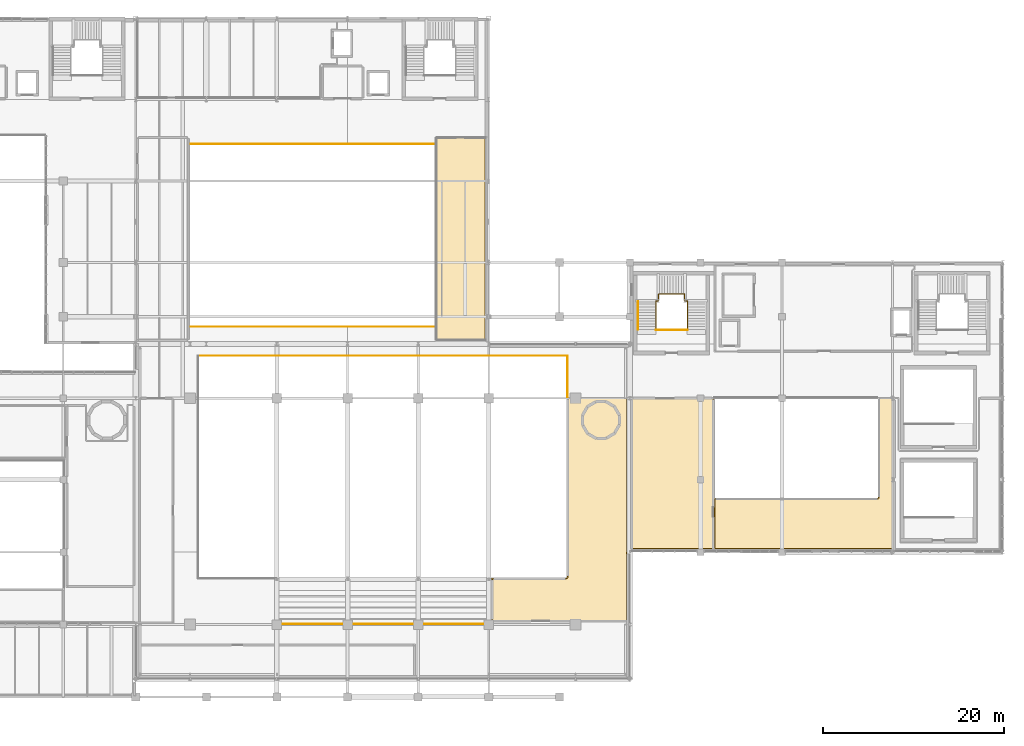
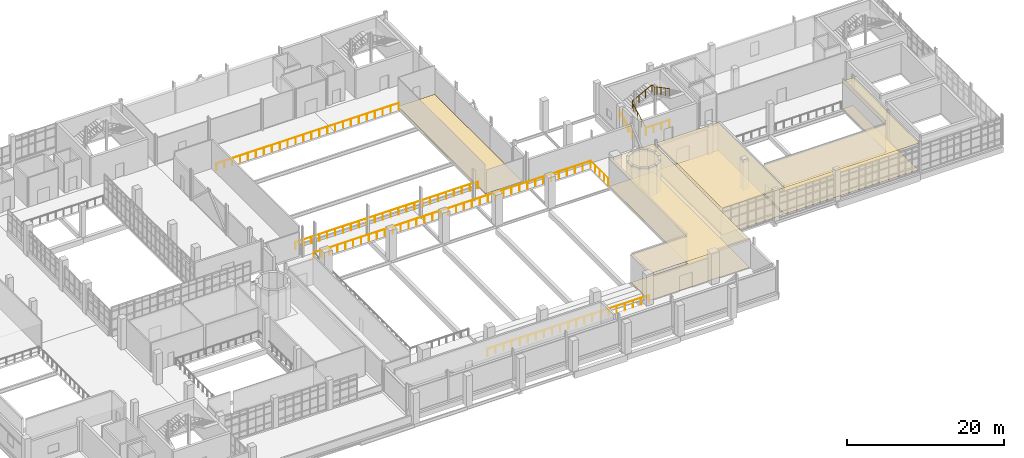
# One storey, part 100 of 102: 8 railings, 7 coverings.
"""IFC4 building model written with IfcOpenShell, lengths in metres."""

from ifc_helpers import new_model, si_unit, derived_unit, direction, frame, origin, origin_2d, place, context, subcontext, project, spatial, polyline, circle, outline, extrude, material, layer, layer_set, type_object, element, save


model = new_model("IFC4")

# Units and contexts
model_context = context("Model", 3, precision=1e-05, world=origin(), true_north=direction((0.0, 1.0)))
body_context = subcontext(model_context, "Body", "Model", "MODEL_VIEW")
ifc_project = project(units=[si_unit("LENGTHUNIT", "METRE"), si_unit("AREAUNIT", "SQUARE_METRE"), si_unit("VOLUMEUNIT", "CUBIC_METRE"), si_unit("PLANEANGLEUNIT", "RADIAN"), si_unit("MASSUNIT", "GRAM", prefix="KILO"), derived_unit("THERMALTRANSMITTANCEUNIT", [(si_unit("POWERUNIT", "WATT"), 1), (si_unit("LENGTHUNIT", "METRE"), -2), (si_unit("THERMODYNAMICTEMPERATUREUNIT", "KELVIN"), -1)])], contexts=[model_context])

# Site, building, storey
site_placement = place(None, origin())
site = spatial("IfcSite", under=ifc_project, at=site_placement, CompositionType="ELEMENT")
building_placement = place(site_placement, origin())
building = spatial("IfcBuilding", under=site, at=building_placement, Name="Nallur Shell Playhouse", CompositionType="ELEMENT")
storey_placement = place(building_placement, frame((0.0, 0.0, 15.0)))
storey = spatial("IfcBuildingStorey", under=building, at=storey_placement, Name="L04", CompositionType="ELEMENT", Elevation=15.0)

# Coverings
ifc_material_1 = material(Name="Micro-Perforated Teak Veneer Acoustic Baffle Ceiling")
ifc_layer_1 = layer(ifc_material_1, 0.044921875)
ifc_layer_set_1 = layer_set([ifc_layer_1], Name="Micro-Perforated Teak Veneer Acoustic Baffle Ceiling")
covering_type_1 = type_object("IfcCoveringType", Name="CV-CEIL-AC1", PredefinedType="CEILING", material=ifc_layer_set_1)
covering_1_placement = place(storey_placement, frame((0.0, 0.0, 4.205078125)))
element("IfcCovering", 1, at=covering_1_placement, inside=storey, type_object=covering_type_1, Name="Studio Lighting & Acoustic Rigging Gallery suspended acoustic ceiling", PredefinedType="CEILING", context=body_context, shape_type="SweptSolid", body=[
    extrude(outline(polyline([(118.68994140625, 41.110107421875), (127.909912109375, 41.110107421875), (127.909912109375, 24.2900390625), (118.68994140625, 24.2900390625), (118.68994140625, 41.110107421875)])), origin(), (0.0, 0.0, 1.0), 0.044921875),
])
ifc_material_2 = material(Name="Mineral-Fibre High-NRC Suspended Ceiling Tile")
ifc_layer_2 = layer(ifc_material_2, 0.030029296875)
ifc_layer_set_2 = layer_set([ifc_layer_2], Name="Mineral-Fibre High-NRC Suspended Ceiling Tile")
covering_type_2 = type_object("IfcCoveringType", Name="CV-CEIL-AC2", PredefinedType="CEILING", material=ifc_layer_set_2)
covering_2_placement = place(storey_placement, frame((0.0, 0.0, 4.219970703125)))
element("IfcCovering", 2, at=covering_2_placement, inside=storey, type_object=covering_type_2, Name="Main Theatre Upper Circle Auditorium Tier suspended acoustic ceiling", PredefinedType="CEILING", context=body_context, shape_type="SweptSolid", body=[
    extrude(outline(polyline([(111.6142578125, 21.173583984375), (111.616455078125, 21.175048828125), (111.618896484375, 21.177001953125), (111.62109375, 21.178955078125), (111.623046875, 21.18115234375), (111.625, 21.18359375), (111.626220703125, 21.185791015625), (111.62744140625, 21.1884765625), (111.628662109375, 21.19140625), (111.629150390625, 21.194091796875), (111.629638671875, 21.197021484375), (111.6298828125, 21.202880859375), (111.6298828125, 41.110107421875), (118.31005859375, 41.110107421875), (118.31005859375, 16.2900390625), (103.2900390625, 16.2900390625), (103.2900390625, 21.169921875), (111.59716796875, 21.169921875), (111.602783203125, 21.17041015625), (111.60595703125, 21.1708984375), (111.608642578125, 21.17138671875), (111.611572265625, 21.172607421875), (111.6142578125, 21.173583984375)])), origin(), (0.0, 0.0, 1.0), 0.030029296875),
])
covering_3_placement = place(storey_placement, frame((0.0, 0.0, 4.219970703125)))
element("IfcCovering", 3, at=covering_3_placement, inside=storey, type_object=covering_type_2, Name="Studio Theatre Costume & Scenic Prop Workshop suspended acoustic ceiling", PredefinedType="CEILING", context=body_context, shape_type="SweptSolid", body=[
    extrude(outline(polyline([(146.005615234375, 29.99169921875), (146.00634765625, 29.992431640625), (146.007080078125, 29.992919921875), (146.007568359375, 29.99365234375), (146.00830078125, 29.994384765625), (146.0087890625, 29.995361328125), (146.009033203125, 29.99609375), (146.009521484375, 29.9970703125), (146.009765625, 29.998291015625), (146.009765625, 29.9990234375), (146.010009765625, 30.002685546875), (146.010009765625, 41.110107421875), (147.7099609375, 41.110107421875), (147.7099609375, 24.2900390625), (127.889892578125, 24.2900390625), (127.889892578125, 29.989990234375), (145.997314453125, 29.989990234375), (146.0009765625, 29.990234375), (146.001708984375, 29.990234375), (146.0029296875, 29.990478515625), (146.00390625, 29.990966796875), (146.004638671875, 29.9912109375), (146.005615234375, 29.99169921875)])), origin(), (0.0, 0.0, 1.0), 0.030029296875),
])
ifc_material_3 = material(Name="Heavy-Duty Woven Wool Auditorium Acoustic Flooring")
ifc_layer_3 = layer(ifc_material_3, 0.02001953125)
ifc_layer_set_3 = layer_set([ifc_layer_3], Name="Heavy-Duty Woven Wool Auditorium Acoustic Flooring")
covering_type_3 = type_object("IfcCoveringType", Name="CV-FLOR-CARPET", PredefinedType="FLOORING", material=ifc_layer_set_3)
covering_4_placement = place(storey_placement, origin())
element("IfcCovering", 4, at=covering_4_placement, inside=storey, type_object=covering_type_3, Name="Main Theatre Upper Circle Auditorium Tier floor finish", PredefinedType="FLOORING", context=body_context, shape_type="SweptSolid", body=[
    extrude(outline(polyline([(111.666015625, 21.076416015625), (111.677734375, 21.08349609375), (111.688720703125, 21.091796875), (111.698974609375, 21.10107421875), (111.708251953125, 21.111083984375), (111.71630859375, 21.122314453125), (111.723388671875, 21.134033203125), (111.729248046875, 21.146484375), (111.73388671875, 21.159423828125), (111.7373046875, 21.172607421875), (111.7392578125, 21.186279296875), (111.739990234375, 21.199951171875), (111.739990234375, 41.0), (118.199951171875, 41.0), (118.199951171875, 16.39990234375), (103.39990234375, 16.39990234375), (103.39990234375, 21.06005859375), (111.60009765625, 21.06005859375), (111.61376953125, 21.060791015625), (111.627197265625, 21.062744140625), (111.640625, 21.06591796875), (111.653564453125, 21.07080078125), (111.666015625, 21.076416015625)])), origin(), (0.0, 0.0, 1.0), 0.02001953125),
])
covering_5_placement = place(storey_placement, origin())
element("IfcCovering", 5, at=covering_5_placement, inside=storey, type_object=covering_type_3, Name="Studio Lighting & Acoustic Rigging Gallery floor finish", PredefinedType="FLOORING", context=body_context, shape_type="SweptSolid", body=[
    extrude(outline(polyline([(118.800048828125, 41.0), (127.800048828125, 41.0), (127.800048828125, 24.39990234375), (118.800048828125, 24.39990234375), (118.800048828125, 41.0)])), origin(), (0.0, 0.0, 1.0), 0.02001953125),
])
ifc_material_4 = material(Name="Polished Chettinad Oxide & White Marble Terrazzo Flooring", Category="masonry")
ifc_layer_4 = layer(ifc_material_4, 0.050048828125)
ifc_layer_set_4 = layer_set([ifc_layer_4], Name="Polished Chettinad Oxide & White Marble Terrazzo Flooring")
covering_type_4 = type_object("IfcCoveringType", Name="CV-FLOR-TERRAZZO", PredefinedType="FLOORING", material=ifc_layer_set_4)
covering_6_placement = place(storey_placement, origin())
element("IfcCovering", 6, at=covering_6_placement, inside=storey, type_object=covering_type_4, Name="Studio Theatre Costume & Scenic Prop Workshop floor finish", PredefinedType="FLOORING", context=body_context, shape_type="SweptSolid", body=[
    extrude(outline(polyline([(146.066650390625, 29.900146484375), (146.076171875, 29.9072265625), (146.0849609375, 29.9150390625), (146.0927734375, 29.923828125), (146.099853515625, 29.933349609375), (146.105712890625, 29.943359375), (146.11083984375, 29.9541015625), (146.11474609375, 29.965087890625), (146.11767578125, 29.9765625), (146.119384765625, 29.98828125), (146.1201171875, 30.0), (146.1201171875, 41.0), (147.60009765625, 41.0), (147.60009765625, 24.39990234375), (128.0, 24.39990234375), (128.0, 29.8798828125), (146.0, 29.8798828125), (146.01171875, 29.880615234375), (146.0234375, 29.88232421875), (146.034912109375, 29.88525390625), (146.0458984375, 29.88916015625), (146.056640625, 29.894287109375), (146.066650390625, 29.900146484375)])), origin(), (0.0, 0.0, 1.0), 0.050048828125),
])
ifc_material_5 = material(Name="Sprung Semi-Resilient Stage & Dance Hardwood Flooring", Category="wood")
ifc_layer_5 = layer(ifc_material_5, 0.054931640625)
ifc_layer_set_5 = layer_set([ifc_layer_5], Name="Sprung Semi-Resilient Stage & Dance Hardwood Flooring")
covering_type_5 = type_object("IfcCoveringType", Name="CV-FLOR-TIMBER", PredefinedType="FLOORING", material=ifc_layer_set_5)
covering_7_placement = place(storey_placement, origin())
element("IfcCovering", 7, at=covering_7_placement, inside=storey, type_object=covering_type_5, Name="Stage East Upper Rigging & Dimmer Gallery floor finish", PredefinedType="FLOORING", context=body_context, shape_type="SweptSolid", body=[
    extrude(outline(polyline([(97.199951171875, 69.800048828125), (102.60009765625, 69.800048828125), (102.60009765625, 47.39990234375), (97.199951171875, 47.39990234375), (97.199951171875, 69.800048828125)])), origin(), (0.0, 0.0, 1.0), 0.054931640625),
])

# Railings
ifc_material_6 = material(Name="Bronze-Anodised Foyer Void Acoustic Glass Guardrail", Category="glass")
railing_type_1 = type_object("IfcRailingType", Name="RL-BAL-1100", PredefinedType="BALUSTRADE", material=ifc_material_6)
railing_1_placement = place(storey_placement, frame((111.699951171875, 41.1318359375, 0.0)))
element("IfcRailing", 8, at=railing_1_placement, inside=storey, type_object=railing_type_1, Name="L04 interior void balustrade 016", PredefinedType="BALUSTRADE", context=body_context, shape_type="SweptSolid", body=[
    extrude(circle(Radius=0.02392578125, at=origin_2d()), frame((0.0, 0.0, 1.09619140625), z_axis=(0.0, 1.0, 0.0), x_axis=(-1.0, 0.0, 0.0)), (0.0, 0.0, 1.0), 4.568115234375),
    extrude(circle(Radius=0.02099609375, at=origin_2d()), origin(), (0.0, 0.0, 1.0), 1.072021484375),
    extrude(circle(Radius=0.02099609375, at=origin_2d()), frame((0.0, 1.14208984375, 0.0)), (0.0, 0.0, 1.0), 1.072021484375),
    extrude(circle(Radius=0.02099609375, at=origin_2d()), frame((0.0, 2.2841796875, 0.0)), (0.0, 0.0, 1.0), 1.072021484375),
    extrude(circle(Radius=0.02099609375, at=origin_2d()), frame((0.0, 3.426025390625, 0.0)), (0.0, 0.0, 1.0), 1.072021484375),
    extrude(circle(Radius=0.02099609375, at=origin_2d()), frame((0.0, 4.568115234375, 0.0)), (0.0, 0.0, 1.0), 1.072021484375),
])
railing_2_placement = place(storey_placement, frame((111.699951171875, 45.699951171875, 0.0)))
element("IfcRailing", 9, at=railing_2_placement, inside=storey, type_object=railing_type_1, Name="L04 interior void balustrade 017", PredefinedType="BALUSTRADE", context=body_context, shape_type="SweptSolid", body=[
    extrude(circle(Radius=0.02392578125, at=origin_2d()), frame((0.0, 0.0, 1.09619140625), z_axis=(-1.0, 0.0, 0.0), x_axis=(0.0, -1.0, 0.0)), (0.0, 0.0, 1.0), 40.800048828125),
    extrude(circle(Radius=0.02099609375, at=origin_2d()), origin(), (0.0, 0.0, 1.0), 1.072021484375),
    extrude(circle(Radius=0.02099609375, at=origin_2d()), frame((-1.165771484375, 0.0, 0.0)), (0.0, 0.0, 1.0), 1.072021484375),
    extrude(circle(Radius=0.02099609375, at=origin_2d()), frame((-2.33154296875, 0.0, 0.0)), (0.0, 0.0, 1.0), 1.072021484375),
    extrude(circle(Radius=0.02099609375, at=origin_2d()), frame((-3.4970703125, 0.0, 0.0)), (0.0, 0.0, 1.0), 1.072021484375),
    extrude(circle(Radius=0.02099609375, at=origin_2d()), frame((-4.662841796875, 0.0, 0.0)), (0.0, 0.0, 1.0), 1.072021484375),
    extrude(circle(Radius=0.02099609375, at=origin_2d()), frame((-5.82861328125, 0.0, 0.0)), (0.0, 0.0, 1.0), 1.072021484375),
    extrude(circle(Radius=0.02099609375, at=origin_2d()), frame((-6.994384765625, 0.0, 0.0)), (0.0, 0.0, 1.0), 1.072021484375),
    extrude(circle(Radius=0.02099609375, at=origin_2d()), frame((-8.159912109375, 0.0, 0.0)), (0.0, 0.0, 1.0), 1.072021484375),
    extrude(circle(Radius=0.02099609375, at=origin_2d()), frame((-9.32568359375, 0.0, 0.0)), (0.0, 0.0, 1.0), 1.072021484375),
    extrude(circle(Radius=0.02099609375, at=origin_2d()), frame((-10.491455078125, 0.0, 0.0)), (0.0, 0.0, 1.0), 1.072021484375),
    extrude(circle(Radius=0.02099609375, at=origin_2d()), frame((-11.6572265625, 0.0, 0.0)), (0.0, 0.0, 1.0), 1.072021484375),
    extrude(circle(Radius=0.02099609375, at=origin_2d()), frame((-12.82275390625, 0.0, 0.0)), (0.0, 0.0, 1.0), 1.072021484375),
    extrude(circle(Radius=0.02099609375, at=origin_2d()), frame((-13.988525390625, 0.0, 0.0)), (0.0, 0.0, 1.0), 1.072021484375),
    extrude(circle(Radius=0.02099609375, at=origin_2d()), frame((-15.154296875, 0.0, 0.0)), (0.0, 0.0, 1.0), 1.072021484375),
    extrude(circle(Radius=0.02099609375, at=origin_2d()), frame((-16.320068359375, 0.0, 0.0)), (0.0, 0.0, 1.0), 1.072021484375),
    extrude(circle(Radius=0.02099609375, at=origin_2d()), frame((-17.48583984375, 0.0, 0.0)), (0.0, 0.0, 1.0), 1.072021484375),
    extrude(circle(Radius=0.02099609375, at=origin_2d()), frame((-18.6513671875, 0.0, 0.0)), (0.0, 0.0, 1.0), 1.072021484375),
    extrude(circle(Radius=0.02099609375, at=origin_2d()), frame((-19.817138671875, 0.0, 0.0)), (0.0, 0.0, 1.0), 1.072021484375),
    extrude(circle(Radius=0.02099609375, at=origin_2d()), frame((-20.98291015625, 0.0, 0.0)), (0.0, 0.0, 1.0), 1.072021484375),
    extrude(circle(Radius=0.02099609375, at=origin_2d()), frame((-22.148681640625, 0.0, 0.0)), (0.0, 0.0, 1.0), 1.072021484375),
    extrude(circle(Radius=0.02099609375, at=origin_2d()), frame((-23.314208984375, 0.0, 0.0)), (0.0, 0.0, 1.0), 1.072021484375),
    extrude(circle(Radius=0.02099609375, at=origin_2d()), frame((-24.47998046875, 0.0, 0.0)), (0.0, 0.0, 1.0), 1.072021484375),
    extrude(circle(Radius=0.02099609375, at=origin_2d()), frame((-25.645751953125, 0.0, 0.0)), (0.0, 0.0, 1.0), 1.072021484375),
    extrude(circle(Radius=0.02099609375, at=origin_2d()), frame((-26.8115234375, 0.0, 0.0)), (0.0, 0.0, 1.0), 1.072021484375),
    extrude(circle(Radius=0.02099609375, at=origin_2d()), frame((-27.977294921875, 0.0, 0.0)), (0.0, 0.0, 1.0), 1.072021484375),
    extrude(circle(Radius=0.02099609375, at=origin_2d()), frame((-29.142822265625, 0.0, 0.0)), (0.0, 0.0, 1.0), 1.072021484375),
    extrude(circle(Radius=0.02099609375, at=origin_2d()), frame((-30.30859375, 0.0, 0.0)), (0.0, 0.0, 1.0), 1.072021484375),
    extrude(circle(Radius=0.02099609375, at=origin_2d()), frame((-31.474365234375, 0.0, 0.0)), (0.0, 0.0, 1.0), 1.072021484375),
    extrude(circle(Radius=0.02099609375, at=origin_2d()), frame((-32.64013671875, 0.0, 0.0)), (0.0, 0.0, 1.0), 1.072021484375),
    extrude(circle(Radius=0.02099609375, at=origin_2d()), frame((-33.8056640625, 0.0, 0.0)), (0.0, 0.0, 1.0), 1.072021484375),
    extrude(circle(Radius=0.02099609375, at=origin_2d()), frame((-34.971435546875, 0.0, 0.0)), (0.0, 0.0, 1.0), 1.072021484375),
    extrude(circle(Radius=0.02099609375, at=origin_2d()), frame((-36.13720703125, 0.0, 0.0)), (0.0, 0.0, 1.0), 1.072021484375),
    extrude(circle(Radius=0.02099609375, at=origin_2d()), frame((-37.302978515625, 0.0, 0.0)), (0.0, 0.0, 1.0), 1.072021484375),
    extrude(circle(Radius=0.02099609375, at=origin_2d()), frame((-38.468505859375, 0.0, 0.0)), (0.0, 0.0, 1.0), 1.072021484375),
    extrude(circle(Radius=0.02099609375, at=origin_2d()), frame((-39.63427734375, 0.0, 0.0)), (0.0, 0.0, 1.0), 1.072021484375),
    extrude(circle(Radius=0.02099609375, at=origin_2d()), frame((-40.800048828125, 0.0, 0.0)), (0.0, 0.0, 1.0), 1.072021484375),
])
railing_3_placement = place(storey_placement, frame((70.080078125, 48.89990234375, 0.0)))
element("IfcRailing", 10, at=railing_3_placement, inside=storey, type_object=railing_type_1, Name="L04 interior void balustrade 022", PredefinedType="BALUSTRADE", context=body_context, shape_type="SweptSolid", body=[
    extrude(circle(Radius=0.02392578125, at=origin_2d()), frame((0.0, 0.0, 1.09619140625), z_axis=(1.0, 0.0, 0.0), x_axis=(0.0, 1.0, 0.0)), (0.0, 0.0, 1.0), 26.83984375),
    extrude(circle(Radius=0.02099609375, at=origin_2d()), origin(), (0.0, 0.0, 1.0), 1.072021484375),
    extrude(circle(Radius=0.02099609375, at=origin_2d()), frame((1.1669921875, 0.0, 0.0)), (0.0, 0.0, 1.0), 1.072021484375),
    extrude(circle(Radius=0.02099609375, at=origin_2d()), frame((2.333984375, 0.0, 0.0)), (0.0, 0.0, 1.0), 1.072021484375),
    extrude(circle(Radius=0.02099609375, at=origin_2d()), frame((3.500732421875, 0.0, 0.0)), (0.0, 0.0, 1.0), 1.072021484375),
    extrude(circle(Radius=0.02099609375, at=origin_2d()), frame((4.667724609375, 0.0, 0.0)), (0.0, 0.0, 1.0), 1.072021484375),
    extrude(circle(Radius=0.02099609375, at=origin_2d()), frame((5.834716796875, 0.0, 0.0)), (0.0, 0.0, 1.0), 1.072021484375),
    extrude(circle(Radius=0.02099609375, at=origin_2d()), frame((7.001708984375, 0.0, 0.0)), (0.0, 0.0, 1.0), 1.072021484375),
    extrude(circle(Radius=0.02099609375, at=origin_2d()), frame((8.168701171875, 0.0, 0.0)), (0.0, 0.0, 1.0), 1.072021484375),
    extrude(circle(Radius=0.02099609375, at=origin_2d()), frame((9.335693359375, 0.0, 0.0)), (0.0, 0.0, 1.0), 1.072021484375),
    extrude(circle(Radius=0.02099609375, at=origin_2d()), frame((10.50244140625, 0.0, 0.0)), (0.0, 0.0, 1.0), 1.072021484375),
    extrude(circle(Radius=0.02099609375, at=origin_2d()), frame((11.66943359375, 0.0, 0.0)), (0.0, 0.0, 1.0), 1.072021484375),
    extrude(circle(Radius=0.02099609375, at=origin_2d()), frame((12.83642578125, 0.0, 0.0)), (0.0, 0.0, 1.0), 1.072021484375),
    extrude(circle(Radius=0.02099609375, at=origin_2d()), frame((14.00341796875, 0.0, 0.0)), (0.0, 0.0, 1.0), 1.072021484375),
    extrude(circle(Radius=0.02099609375, at=origin_2d()), frame((15.17041015625, 0.0, 0.0)), (0.0, 0.0, 1.0), 1.072021484375),
    extrude(circle(Radius=0.02099609375, at=origin_2d()), frame((16.33740234375, 0.0, 0.0)), (0.0, 0.0, 1.0), 1.072021484375),
    extrude(circle(Radius=0.02099609375, at=origin_2d()), frame((17.504150390625, 0.0, 0.0)), (0.0, 0.0, 1.0), 1.072021484375),
    extrude(circle(Radius=0.02099609375, at=origin_2d()), frame((18.671142578125, 0.0, 0.0)), (0.0, 0.0, 1.0), 1.072021484375),
    extrude(circle(Radius=0.02099609375, at=origin_2d()), frame((19.838134765625, 0.0, 0.0)), (0.0, 0.0, 1.0), 1.072021484375),
    extrude(circle(Radius=0.02099609375, at=origin_2d()), frame((21.005126953125, 0.0, 0.0)), (0.0, 0.0, 1.0), 1.072021484375),
    extrude(circle(Radius=0.02099609375, at=origin_2d()), frame((22.172119140625, 0.0, 0.0)), (0.0, 0.0, 1.0), 1.072021484375),
    extrude(circle(Radius=0.02099609375, at=origin_2d()), frame((23.339111328125, 0.0, 0.0)), (0.0, 0.0, 1.0), 1.072021484375),
    extrude(circle(Radius=0.02099609375, at=origin_2d()), frame((24.505859375, 0.0, 0.0)), (0.0, 0.0, 1.0), 1.072021484375),
    extrude(circle(Radius=0.02099609375, at=origin_2d()), frame((25.6728515625, 0.0, 0.0)), (0.0, 0.0, 1.0), 1.072021484375),
    extrude(circle(Radius=0.02099609375, at=origin_2d()), frame((26.83984375, 0.0, 0.0)), (0.0, 0.0, 1.0), 1.072021484375),
])
railing_4_placement = place(storey_placement, frame((96.919921875, 69.10009765625, 0.0)))
element("IfcRailing", 11, at=railing_4_placement, inside=storey, type_object=railing_type_1, Name="L04 interior void balustrade 023", PredefinedType="BALUSTRADE", context=body_context, shape_type="SweptSolid", body=[
    extrude(circle(Radius=0.02392578125, at=origin_2d()), frame((0.0, 0.0, 1.09619140625), z_axis=(-1.0, 0.0, 0.0), x_axis=(0.0, -1.0, 0.0)), (0.0, 0.0, 1.0), 26.83984375),
    extrude(circle(Radius=0.02099609375, at=origin_2d()), origin(), (0.0, 0.0, 1.0), 1.072021484375),
    extrude(circle(Radius=0.02099609375, at=origin_2d()), frame((-1.1669921875, 0.0, 0.0)), (0.0, 0.0, 1.0), 1.072021484375),
    extrude(circle(Radius=0.02099609375, at=origin_2d()), frame((-2.333984375, 0.0, 0.0)), (0.0, 0.0, 1.0), 1.072021484375),
    extrude(circle(Radius=0.02099609375, at=origin_2d()), frame((-3.500732421875, 0.0, 0.0)), (0.0, 0.0, 1.0), 1.072021484375),
    extrude(circle(Radius=0.02099609375, at=origin_2d()), frame((-4.667724609375, 0.0, 0.0)), (0.0, 0.0, 1.0), 1.072021484375),
    extrude(circle(Radius=0.02099609375, at=origin_2d()), frame((-5.834716796875, 0.0, 0.0)), (0.0, 0.0, 1.0), 1.072021484375),
    extrude(circle(Radius=0.02099609375, at=origin_2d()), frame((-7.001708984375, 0.0, 0.0)), (0.0, 0.0, 1.0), 1.072021484375),
    extrude(circle(Radius=0.02099609375, at=origin_2d()), frame((-8.168701171875, 0.0, 0.0)), (0.0, 0.0, 1.0), 1.072021484375),
    extrude(circle(Radius=0.02099609375, at=origin_2d()), frame((-9.335693359375, 0.0, 0.0)), (0.0, 0.0, 1.0), 1.072021484375),
    extrude(circle(Radius=0.02099609375, at=origin_2d()), frame((-10.50244140625, 0.0, 0.0)), (0.0, 0.0, 1.0), 1.072021484375),
    extrude(circle(Radius=0.02099609375, at=origin_2d()), frame((-11.66943359375, 0.0, 0.0)), (0.0, 0.0, 1.0), 1.072021484375),
    extrude(circle(Radius=0.02099609375, at=origin_2d()), frame((-12.83642578125, 0.0, 0.0)), (0.0, 0.0, 1.0), 1.072021484375),
    extrude(circle(Radius=0.02099609375, at=origin_2d()), frame((-14.00341796875, 0.0, 0.0)), (0.0, 0.0, 1.0), 1.072021484375),
    extrude(circle(Radius=0.02099609375, at=origin_2d()), frame((-15.17041015625, 0.0, 0.0)), (0.0, 0.0, 1.0), 1.072021484375),
    extrude(circle(Radius=0.02099609375, at=origin_2d()), frame((-16.33740234375, 0.0, 0.0)), (0.0, 0.0, 1.0), 1.072021484375),
    extrude(circle(Radius=0.02099609375, at=origin_2d()), frame((-17.504150390625, 0.0, 0.0)), (0.0, 0.0, 1.0), 1.072021484375),
    extrude(circle(Radius=0.02099609375, at=origin_2d()), frame((-18.671142578125, 0.0, 0.0)), (0.0, 0.0, 1.0), 1.072021484375),
    extrude(circle(Radius=0.02099609375, at=origin_2d()), frame((-19.838134765625, 0.0, 0.0)), (0.0, 0.0, 1.0), 1.072021484375),
    extrude(circle(Radius=0.02099609375, at=origin_2d()), frame((-21.005126953125, 0.0, 0.0)), (0.0, 0.0, 1.0), 1.072021484375),
    extrude(circle(Radius=0.02099609375, at=origin_2d()), frame((-22.172119140625, 0.0, 0.0)), (0.0, 0.0, 1.0), 1.072021484375),
    extrude(circle(Radius=0.02099609375, at=origin_2d()), frame((-23.339111328125, 0.0, 0.0)), (0.0, 0.0, 1.0), 1.072021484375),
    extrude(circle(Radius=0.02099609375, at=origin_2d()), frame((-24.505859375, 0.0, 0.0)), (0.0, 0.0, 1.0), 1.072021484375),
    extrude(circle(Radius=0.02099609375, at=origin_2d()), frame((-25.6728515625, 0.0, 0.0)), (0.0, 0.0, 1.0), 1.072021484375),
    extrude(circle(Radius=0.02099609375, at=origin_2d()), frame((-26.83984375, 0.0, 0.0)), (0.0, 0.0, 1.0), 1.072021484375),
])
ifc_material_7 = material(Name="Brushed Stainless Steel 316 Balustrade & Toughened Infill", Category="steel")
railing_type_2 = type_object("IfcRailingType", Name="RL-GUARD-1100", PredefinedType="BALUSTRADE", material=ifc_material_7)
railing_5_placement = place(storey_placement, frame((121.4599609375, 48.60009765625, 0.0)))
element("IfcRailing", 12, at=railing_5_placement, inside=storey, type_object=railing_type_2, Name="Stair ST-02-L04 inner open-well guard", PredefinedType="BALUSTRADE", context=body_context, shape_type="SweptSolid", body=[
    extrude(circle(Radius=0.02392578125, at=origin_2d()), frame((0.0, 0.0, 1.15576171875), z_axis=(0.0, 0.885228583928, 0.465156268578), x_axis=(-1.0, 0.0, 0.0)), (0.0, 0.0, 1.0), 3.546875),
    extrude(circle(Radius=0.02392578125, at=origin_2d()), frame((0.0, 3.139892578125, 2.8056640625), z_axis=(1.0, 0.0, 0.0), x_axis=(0.0, 1.0, 0.0)), (0.0, 0.0, 1.0), 0.304931640625),
    extrude(circle(Radius=0.02392578125, at=origin_2d()), frame((0.304931640625, 3.139892578125, 2.8056640625), z_axis=(0.0, 1.0, 0.0), x_axis=(-1.0, 0.0, 0.0)), (0.0, 0.0, 1.0), 0.760009765625),
    extrude(circle(Radius=0.02392578125, at=origin_2d()), frame((0.304931640625, 3.89990234375, 2.8056640625), z_axis=(0.886262018935, 0.0, 0.463184233101), x_axis=(0.0, 1.0, 0.0)), (0.0, 0.0, 1.0), 3.238525390625),
    extrude(circle(Radius=0.02392578125, at=origin_2d()), frame((3.175048828125, 3.89990234375, 4.3056640625), z_axis=(0.0, -1.0, 0.0), x_axis=(1.0, 0.0, 0.0)), (0.0, 0.0, 1.0), 0.760009765625),
    extrude(circle(Radius=0.02392578125, at=origin_2d()), frame((3.175048828125, 3.139892578125, 4.3056640625), z_axis=(1.0, 0.0, 0.0), x_axis=(0.0, 1.0, 0.0)), (0.0, 0.0, 1.0), 0.304931640625),
    extrude(circle(Radius=0.02392578125, at=origin_2d()), frame((3.47998046875, 3.139892578125, 4.3056640625), z_axis=(0.0, -0.885200240898, 0.465210203579), x_axis=(1.0, 0.0, 0.0)), (0.0, 0.0, 1.0), 3.547119140625),
    extrude(circle(Radius=0.02099609375, at=origin_2d()), origin(), (0.0, 0.0, 1.0), 1.1318359375),
    extrude(circle(Radius=0.02099609375, at=origin_2d()), frame((0.0, 1.046630859375, 0.550048828125)), (0.0, 0.0, 1.0), 1.1318359375),
    extrude(circle(Radius=0.02099609375, at=origin_2d()), frame((0.0, 2.09326171875, 1.099853515625)), (0.0, 0.0, 1.0), 1.1318359375),
    extrude(circle(Radius=0.02099609375, at=origin_2d()), frame((0.0, 3.139892578125, 1.64990234375)), (0.0, 0.0, 1.0), 1.1318359375),
    extrude(circle(Radius=0.02099609375, at=origin_2d()), frame((0.304931640625, 3.139892578125, 1.64990234375)), (0.0, 0.0, 1.0), 1.1318359375),
    extrude(circle(Radius=0.02099609375, at=origin_2d()), frame((0.304931640625, 3.89990234375, 1.64990234375)), (0.0, 0.0, 1.0), 1.1318359375),
    extrude(circle(Radius=0.02099609375, at=origin_2d()), frame((1.26171875, 3.89990234375, 2.14990234375)), (0.0, 0.0, 1.0), 1.1318359375),
    extrude(circle(Radius=0.02099609375, at=origin_2d()), frame((2.21826171875, 3.89990234375, 2.64990234375)), (0.0, 0.0, 1.0), 1.1318359375),
    extrude(circle(Radius=0.02099609375, at=origin_2d()), frame((3.175048828125, 3.89990234375, 3.14990234375)), (0.0, 0.0, 1.0), 1.1318359375),
    extrude(circle(Radius=0.02099609375, at=origin_2d()), frame((3.175048828125, 3.139892578125, 3.14990234375)), (0.0, 0.0, 1.0), 1.1318359375),
    extrude(circle(Radius=0.02099609375, at=origin_2d()), frame((3.47998046875, 3.139892578125, 3.14990234375)), (0.0, 0.0, 1.0), 1.1318359375),
    extrude(circle(Radius=0.02099609375, at=origin_2d()), frame((3.47998046875, 2.09326171875, 3.699951171875)), (0.0, 0.0, 1.0), 1.1318359375),
    extrude(circle(Radius=0.02099609375, at=origin_2d()), frame((3.47998046875, 1.046630859375, 4.25)), (0.0, 0.0, 1.0), 1.1318359375),
    extrude(circle(Radius=0.02099609375, at=origin_2d()), frame((3.47998046875, 0.0, 4.800048828125)), (0.0, 0.0, 1.0), 1.1318359375),
])
railing_6_placement = place(storey_placement, frame((121.4599609375, 48.5400390625, 0.0)))
element("IfcRailing", 13, at=railing_6_placement, inside=storey, type_object=railing_type_2, Name="Stair ST-02-L04 floor-well guard", PredefinedType="BALUSTRADE", context=body_context, shape_type="SweptSolid", body=[
    extrude(circle(Radius=0.02392578125, at=origin_2d()), frame((0.0, 0.0, 1.09619140625), z_axis=(1.0, 0.0, 0.0), x_axis=(0.0, 1.0, 0.0)), (0.0, 0.0, 1.0), 3.47998046875),
    extrude(circle(Radius=0.02099609375, at=origin_2d()), origin(), (0.0, 0.0, 1.0), 1.072021484375),
    extrude(circle(Radius=0.02099609375, at=origin_2d()), frame((1.159912109375, 0.0, 0.0)), (0.0, 0.0, 1.0), 1.072021484375),
    extrude(circle(Radius=0.02099609375, at=origin_2d()), frame((2.320068359375, 0.0, 0.0)), (0.0, 0.0, 1.0), 1.072021484375),
    extrude(circle(Radius=0.02099609375, at=origin_2d()), frame((3.47998046875, 0.0, 0.0)), (0.0, 0.0, 1.0), 1.072021484375),
])
railing_7_placement = place(storey_placement, frame((79.39990234375, 16.080078125, 0.0)))
element("IfcRailing", 14, at=railing_7_placement, inside=storey, type_object=railing_type_2, Name="L04 Upper Circle rear seating well guardrail", PredefinedType="BALUSTRADE", context=body_context, shape_type="SweptSolid", body=[
    extrude(circle(Radius=0.02392578125, at=origin_2d()), frame((0.0, 0.0, 1.1259765625), z_axis=(1.0, 0.0, 0.0), x_axis=(0.0, 1.0, 0.0)), (0.0, 0.0, 1.0), 23.800048828125),
    extrude(circle(Radius=0.02099609375, at=origin_2d()), origin(), (0.0, 0.0, 1.0), 1.101806640625),
    extrude(circle(Radius=0.02099609375, at=origin_2d()), frame((1.18994140625, 0.0, 0.0)), (0.0, 0.0, 1.0), 1.101806640625),
    extrude(circle(Radius=0.02099609375, at=origin_2d()), frame((2.3798828125, 0.0, 0.0)), (0.0, 0.0, 1.0), 1.101806640625),
    extrude(circle(Radius=0.02099609375, at=origin_2d()), frame((3.570068359375, 0.0, 0.0)), (0.0, 0.0, 1.0), 1.101806640625),
    extrude(circle(Radius=0.02099609375, at=origin_2d()), frame((4.760009765625, 0.0, 0.0)), (0.0, 0.0, 1.0), 1.101806640625),
    extrude(circle(Radius=0.02099609375, at=origin_2d()), frame((5.949951171875, 0.0, 0.0)), (0.0, 0.0, 1.0), 1.101806640625),
    extrude(circle(Radius=0.02099609375, at=origin_2d()), frame((7.14013671875, 0.0, 0.0)), (0.0, 0.0, 1.0), 1.101806640625),
    extrude(circle(Radius=0.02099609375, at=origin_2d()), frame((8.330078125, 0.0, 0.0)), (0.0, 0.0, 1.0), 1.101806640625),
    extrude(circle(Radius=0.02099609375, at=origin_2d()), frame((9.52001953125, 0.0, 0.0)), (0.0, 0.0, 1.0), 1.101806640625),
    extrude(circle(Radius=0.02099609375, at=origin_2d()), frame((10.7099609375, 0.0, 0.0)), (0.0, 0.0, 1.0), 1.101806640625),
    extrude(circle(Radius=0.02099609375, at=origin_2d()), frame((11.89990234375, 0.0, 0.0)), (0.0, 0.0, 1.0), 1.101806640625),
    extrude(circle(Radius=0.02099609375, at=origin_2d()), frame((13.090087890625, 0.0, 0.0)), (0.0, 0.0, 1.0), 1.101806640625),
    extrude(circle(Radius=0.02099609375, at=origin_2d()), frame((14.280029296875, 0.0, 0.0)), (0.0, 0.0, 1.0), 1.101806640625),
    extrude(circle(Radius=0.02099609375, at=origin_2d()), frame((15.469970703125, 0.0, 0.0)), (0.0, 0.0, 1.0), 1.101806640625),
    extrude(circle(Radius=0.02099609375, at=origin_2d()), frame((16.66015625, 0.0, 0.0)), (0.0, 0.0, 1.0), 1.101806640625),
    extrude(circle(Radius=0.02099609375, at=origin_2d()), frame((17.85009765625, 0.0, 0.0)), (0.0, 0.0, 1.0), 1.101806640625),
    extrude(circle(Radius=0.02099609375, at=origin_2d()), frame((19.0400390625, 0.0, 0.0)), (0.0, 0.0, 1.0), 1.101806640625),
    extrude(circle(Radius=0.02099609375, at=origin_2d()), frame((20.22998046875, 0.0, 0.0)), (0.0, 0.0, 1.0), 1.101806640625),
    extrude(circle(Radius=0.02099609375, at=origin_2d()), frame((21.419921875, 0.0, 0.0)), (0.0, 0.0, 1.0), 1.101806640625),
    extrude(circle(Radius=0.02099609375, at=origin_2d()), frame((22.610107421875, 0.0, 0.0)), (0.0, 0.0, 1.0), 1.101806640625),
    extrude(circle(Radius=0.02099609375, at=origin_2d()), frame((23.800048828125, 0.0, 0.0)), (0.0, 0.0, 1.0), 1.101806640625),
])
ifc_material_8 = material(Name="Stainless Steel 316 Continuous Tubular Handrail", Category="steel")
railing_type_3 = type_object("IfcRailingType", Name="RL-HANDRAIL-900", PredefinedType="HANDRAIL", material=ifc_material_8)
railing_8_placement = place(storey_placement, frame((119.47998046875, 48.60009765625, 0.0)))
element("IfcRailing", 15, at=railing_8_placement, inside=storey, type_object=railing_type_3, Name="Stair ST-02-L04 outer handrail F1", PredefinedType="HANDRAIL", context=body_context, shape_type="SweptSolid", body=[
    extrude(circle(Radius=0.02392578125, at=origin_2d()), frame((0.0, 0.0, 0.89599609375), z_axis=(0.0, 0.882749084529, 0.469844712392), x_axis=(-1.0, 0.0, 0.0)), (0.0, 0.0, 1.0), 3.511474609375),
    extrude(circle(Radius=0.02099609375, at=origin_2d()), origin(), (0.0, 0.0, 1.0), 0.871826171875),
    extrude(circle(Radius=0.02099609375, at=origin_2d()), frame((0.0, 1.033203125, 0.550048828125)), (0.0, 0.0, 1.0), 0.871826171875),
    extrude(circle(Radius=0.02099609375, at=origin_2d()), frame((0.0, 2.066650390625, 1.099853515625)), (0.0, 0.0, 1.0), 0.871826171875),
    extrude(circle(Radius=0.02099609375, at=origin_2d()), frame((0.0, 3.099853515625, 1.64990234375)), (0.0, 0.0, 1.0), 0.871826171875),
])

save(model, "model.ifc")
